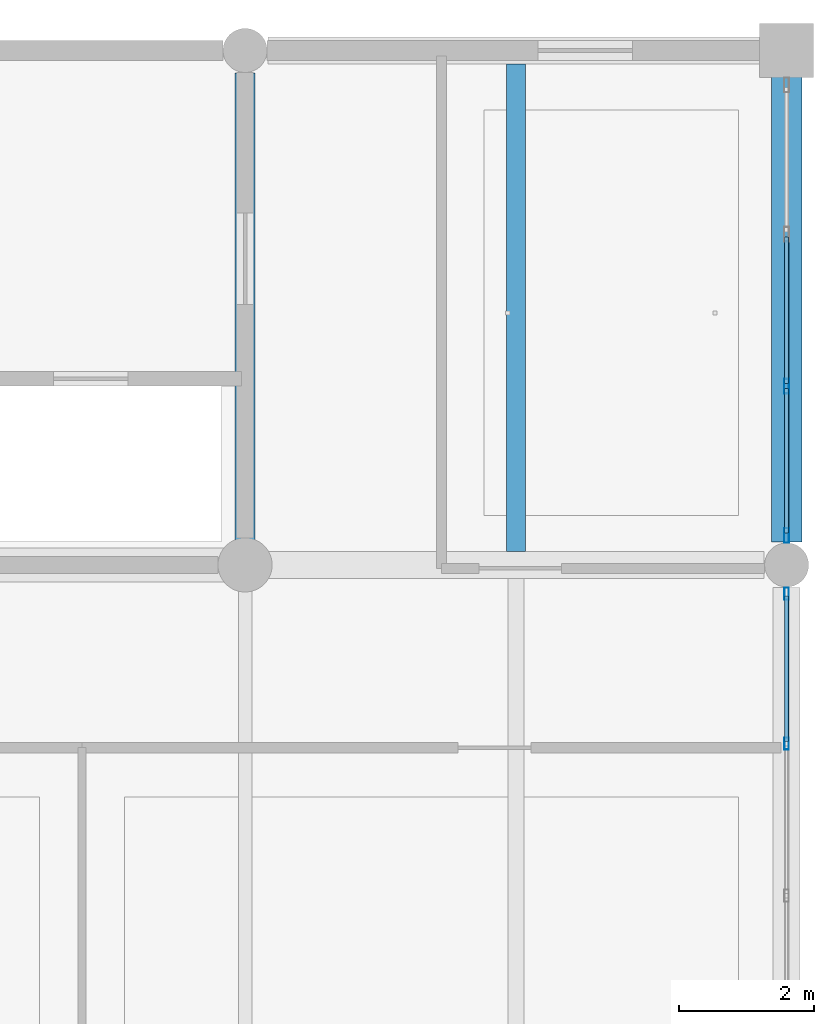
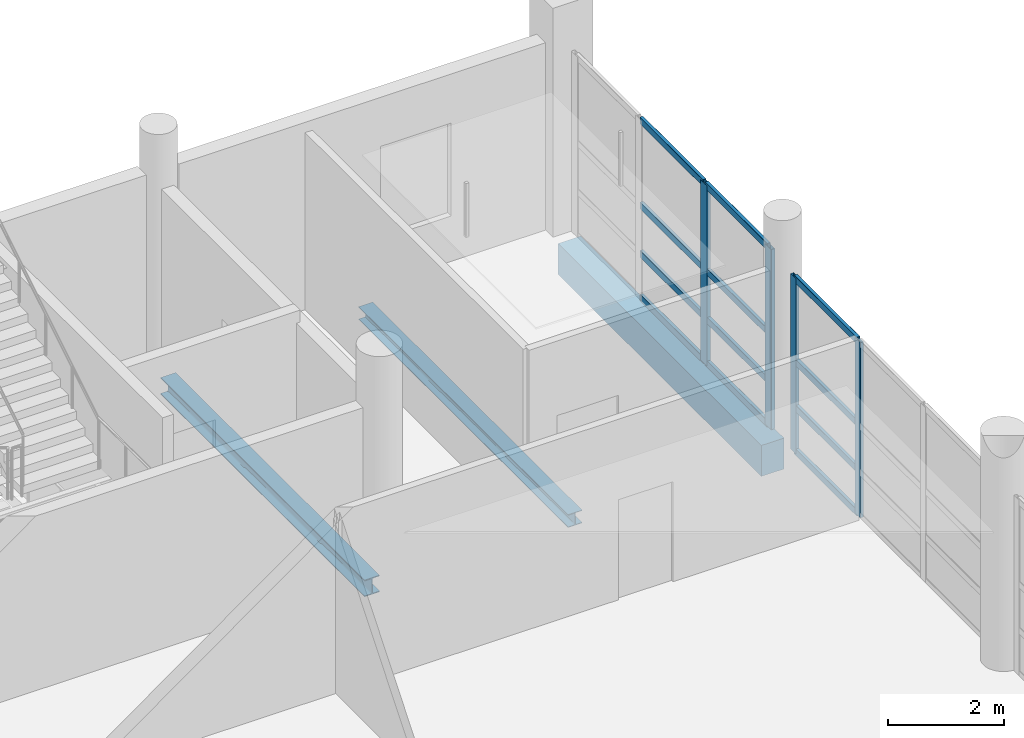
# One storey, part 21 of 46: 16 members, 3 beams, 2 elements without a shape of their own.
"""IFC4 building model written with IfcOpenShell, lengths in metres."""

from ifc_helpers import new_model, si_unit, direction, frame, origin, origin_2d, place, context, subcontext, project, spatial, rectangle, hollow_rectangle, i_section, extrude, material, material_profile, profile_set, type_object, element, aggregate, save


model = new_model("IFC4")

# Units and contexts
model_context = context("Model", 3, precision=1e-05, world=origin(), true_north=direction((0.0, 1.0)))
body_context = subcontext(model_context, "Body", "Model", "MODEL_VIEW")
ifc_project = project(units=[si_unit("LENGTHUNIT", "METRE"), si_unit("AREAUNIT", "SQUARE_METRE"), si_unit("VOLUMEUNIT", "CUBIC_METRE"), si_unit("PLANEANGLEUNIT", "RADIAN"), si_unit("MASSUNIT", "GRAM", prefix="KILO")], contexts=[model_context])

# Site, building, storey
site_placement = place(None, origin())
site = spatial("IfcSite", under=ifc_project, at=site_placement, CompositionType="ELEMENT")
building_placement = place(site_placement, origin())
building = spatial("IfcBuilding", under=site, at=building_placement, Name="Khelvaren Railside Concert Hall", CompositionType="ELEMENT")
storey_placement = place(building_placement, frame((0.0, 0.0, 19.800048828125)))
storey = spatial("IfcBuildingStorey", under=building, at=storey_placement, Name="L04", CompositionType="ELEMENT", Elevation=19.800048828125)

# Beam
ifc_material_1 = material(Name="Steel S355", Category="steel")
ifc_material_profile_1 = material_profile(ifc_material_1, i_section(OverallWidth=0.300048828125, OverallDepth=0.35009765625, WebThickness=0.010009765625, FlangeThickness=0.017578125, FilletRadius=0.027099609375, at=origin_2d()), Name="HEA 360")
ifc_profile_set_1 = profile_set([ifc_material_profile_1], Name="Steel S355")
beam_type_1 = type_object("IfcBeamType", Name="BM73", PredefinedType="BEAM", material=ifc_profile_set_1)
beam_1_placement = place(storey_placement, frame((176.0, 106.64990234375, -0.445068359375), z_axis=(0.0, 1.0, 0.0), x_axis=(-1.0, 0.0, 0.0)))
element("IfcBeam", 1, at=beam_1_placement, inside=storey, type_object=beam_type_1, Name="V5 L04 Beam Y7.4", PredefinedType="BEAM", context=body_context, shape_type="SweptSolid", body=[
    extrude(i_section(OverallWidth=0.300048828125, OverallDepth=0.35009765625, WebThickness=0.010009765625, FlangeThickness=0.017578125, FilletRadius=0.027099609375, at=origin_2d()), origin(), (0.0, 0.0, 1.0), 7.01416015625),
])

# Curtain wall, members
ifc_material_2 = material(Name="Double-glazed clear foyer glass", Category="glass")
curtain_wall_type_1 = type_object("IfcCurtainWallType", Name="CW64", PredefinedType="USERDEFINED", material=ifc_material_2)
curtain_wall_1_placement = place(storey_placement, origin())
curtain_wall_1 = element("IfcCurtainWall", 2, at=curtain_wall_1_placement, inside=storey, type_object=curtain_wall_type_1, Name="Unitised Curtain Wall CW-V5-L04-E-106", ObjectType="UNITISED CURTAIN WALL", PredefinedType="USERDEFINED")
ifc_material_3 = material(Name="Anodised architectural aluminium 6063-T6", Category="aluminium")
ifc_material_profile_2 = material_profile(ifc_material_3, hollow_rectangle(XDim=0.074951171875, YDim=0.219970703125, WallThickness=0.0048828125, InnerFilletRadius=0.0029296875, OuterFilletRadius=0.0048828125, at=origin_2d()), Name="CWM 75x220x5")
ifc_profile_set_2 = profile_set([ifc_material_profile_2], Name="Anodised architectural aluminium 6063-T6")
member_type_1 = type_object("IfcMemberType", Name="CWM13", PredefinedType="MULLION", material=ifc_profile_set_2)
member_1_placement = place(storey_placement, frame((184.0, 109.040771484375, 0.0), z_axis=(0.0, 0.0, 1.0), x_axis=(1.0, 0.0, 0.0)))
member_1 = element("IfcMember", 3, at=member_1_placement, type_object=member_type_1, Name="CW64 mullion 3", PredefinedType="MULLION", context=body_context, shape_type="SweptSolid", body=[
    extrude(hollow_rectangle(XDim=0.074951171875, YDim=0.219970703125, WallThickness=0.0048828125, InnerFilletRadius=0.0029296875, OuterFilletRadius=0.0048828125, at=origin_2d()), origin(), (0.0, 0.0, 1.0), 3.780029296875),
])
member_2_placement = place(storey_placement, frame((184.0, 106.8349609375, 0.0), z_axis=(0.0, 0.0, 1.0), x_axis=(1.0, 0.0, 0.0)))
member_2 = element("IfcMember", 4, at=member_2_placement, type_object=member_type_1, Name="CW64 mullion 4", PredefinedType="MULLION", context=body_context, shape_type="SweptSolid", body=[
    extrude(hollow_rectangle(XDim=0.074951171875, YDim=0.219970703125, WallThickness=0.0048828125, InnerFilletRadius=0.0029296875, OuterFilletRadius=0.0048828125, at=origin_2d()), origin(), (0.0, 0.0, 1.0), 3.780029296875),
])

ifc_material_4 = material(Name="Double-glazed low-E dark acoustic glass", Category="glass")
curtain_wall_type_2 = type_object("IfcCurtainWallType", Name="CW94", PredefinedType="USERDEFINED", material=ifc_material_4)
curtain_wall_2_placement = place(storey_placement, origin())
curtain_wall_2 = element("IfcCurtainWall", 5, at=curtain_wall_2_placement, inside=storey, type_object=curtain_wall_type_2, Name="Unitised Curtain Wall CW-V5-L04-E-99", ObjectType="UNITISED CURTAIN WALL", PredefinedType="USERDEFINED")
ifc_material_profile_3 = material_profile(ifc_material_3, hollow_rectangle(XDim=0.06494140625, YDim=0.179931640625, WallThickness=0.00390625, InnerFilletRadius=0.001953125, OuterFilletRadius=0.00390625, at=origin_2d()), Name="CWM 65x180x4")
ifc_profile_set_3 = profile_set([ifc_material_profile_3], Name="Anodised architectural aluminium 6063-T6")
member_type_2 = type_object("IfcMemberType", Name="CWM63", PredefinedType="MULLION", material=ifc_profile_set_3)
member_3_placement = place(storey_placement, frame((184.0, 105.97509765625, 0.0), z_axis=(0.0, 0.0, 1.0), x_axis=(1.0, 0.0, 0.0)))
member_3 = element("IfcMember", 6, at=member_3_placement, type_object=member_type_2, Name="CW94 mullion 1", PredefinedType="MULLION", context=body_context, shape_type="SweptSolid", body=[
    extrude(hollow_rectangle(XDim=0.06494140625, YDim=0.179931640625, WallThickness=0.00390625, InnerFilletRadius=0.001953125, OuterFilletRadius=0.00390625, at=origin_2d()), origin(), (0.0, 0.0, 1.0), 3.679931640625),
])
member_4_placement = place(storey_placement, frame((184.0, 103.7607421875, 0.0), z_axis=(0.0, 0.0, 1.0), x_axis=(1.0, 0.0, 0.0)))
member_4 = element("IfcMember", 7, at=member_4_placement, type_object=member_type_2, Name="CW94 mullion 2", PredefinedType="MULLION", context=body_context, shape_type="SweptSolid", body=[
    extrude(hollow_rectangle(XDim=0.06494140625, YDim=0.179931640625, WallThickness=0.00390625, InnerFilletRadius=0.001953125, OuterFilletRadius=0.00390625, at=origin_2d()), origin(), (0.0, 0.0, 1.0), 3.679931640625),
])
ifc_material_profile_4 = material_profile(ifc_material_3, hollow_rectangle(XDim=0.06494140625, YDim=0.139892578125, WallThickness=0.00390625, InnerFilletRadius=0.001953125, OuterFilletRadius=0.00390625, at=origin_2d()), Name="CWT 65x140x4")
ifc_profile_set_4 = profile_set([ifc_material_profile_4], Name="Anodised architectural aluminium 6063-T6")
member_type_3 = type_object("IfcMemberType", Name="CWT72", PredefinedType="USERDEFINED", material=ifc_profile_set_4)
member_5_placement = place(storey_placement, frame((184.0, 105.9423828125, 0.032470703125), z_axis=(0.0, -1.0, 0.0), x_axis=(1.0, 0.0, 0.0)))
member_5 = element("IfcMember", 8, at=member_5_placement, type_object=member_type_3, Name="CW94 transom 1.1", ObjectType="TRANSOM", PredefinedType="USERDEFINED", context=body_context, shape_type="SweptSolid", body=[
    extrude(hollow_rectangle(XDim=0.06494140625, YDim=0.139892578125, WallThickness=0.00390625, InnerFilletRadius=0.001953125, OuterFilletRadius=0.00390625, at=origin_2d()), origin(), (0.0, 0.0, 1.0), 2.149169921875),
])
member_6_placement = place(storey_placement, frame((184.0, 105.9423828125, 0.949951171875), z_axis=(0.0, -1.0, 0.0), x_axis=(1.0, 0.0, 0.0)))
member_6 = element("IfcMember", 9, at=member_6_placement, type_object=member_type_3, Name="CW94 transom 1.2", ObjectType="TRANSOM", PredefinedType="USERDEFINED", context=body_context, shape_type="SweptSolid", body=[
    extrude(hollow_rectangle(XDim=0.06494140625, YDim=0.139892578125, WallThickness=0.00390625, InnerFilletRadius=0.001953125, OuterFilletRadius=0.00390625, at=origin_2d()), origin(), (0.0, 0.0, 1.0), 2.149169921875),
])
member_7_placement = place(storey_placement, frame((184.0, 105.9423828125, 1.91357421875), z_axis=(0.0, -1.0, 0.0), x_axis=(1.0, 0.0, 0.0)))
member_7 = element("IfcMember", 10, at=member_7_placement, type_object=member_type_3, Name="CW94 transom 1.3", ObjectType="TRANSOM", PredefinedType="USERDEFINED", context=body_context, shape_type="SweptSolid", body=[
    extrude(hollow_rectangle(XDim=0.06494140625, YDim=0.139892578125, WallThickness=0.00390625, InnerFilletRadius=0.001953125, OuterFilletRadius=0.00390625, at=origin_2d()), origin(), (0.0, 0.0, 1.0), 2.149169921875),
])
member_8_placement = place(storey_placement, frame((184.0, 105.9423828125, 3.6474609375), z_axis=(0.0, -1.0, 0.0), x_axis=(1.0, 0.0, 0.0)))
member_8 = element("IfcMember", 11, at=member_8_placement, type_object=member_type_3, Name="CW94 transom 1.4", ObjectType="TRANSOM", PredefinedType="USERDEFINED", context=body_context, shape_type="SweptSolid", body=[
    extrude(hollow_rectangle(XDim=0.06494140625, YDim=0.139892578125, WallThickness=0.00390625, InnerFilletRadius=0.001953125, OuterFilletRadius=0.00390625, at=origin_2d()), origin(), (0.0, 0.0, 1.0), 2.149169921875),
])
aggregate(curtain_wall_2, [member_3, member_4, member_5, member_6, member_7, member_8])

# Member
member_9_placement = place(storey_placement, frame((184.0, 111.24658203125, 0.032470703125), z_axis=(0.0, -1.0, 0.0), x_axis=(1.0, 0.0, 0.0)))
member_9 = element("IfcMember", 12, at=member_9_placement, type_object=member_type_3, Name="CW64 transom 2.1", ObjectType="TRANSOM", PredefinedType="USERDEFINED", context=body_context, shape_type="SweptSolid", body=[
    extrude(hollow_rectangle(XDim=0.06494140625, YDim=0.139892578125, WallThickness=0.00390625, InnerFilletRadius=0.001953125, OuterFilletRadius=0.00390625, at=origin_2d()), origin(), (0.0, 0.0, 1.0), 2.168212890625),
])

member_10_placement = place(storey_placement, frame((184.0, 111.24658203125, 0.949951171875), z_axis=(0.0, -1.0, 0.0), x_axis=(1.0, 0.0, 0.0)))
member_10 = element("IfcMember", 13, at=member_10_placement, type_object=member_type_3, Name="CW64 transom 2.2", ObjectType="TRANSOM", PredefinedType="USERDEFINED", context=body_context, shape_type="SweptSolid", body=[
    extrude(hollow_rectangle(XDim=0.06494140625, YDim=0.139892578125, WallThickness=0.00390625, InnerFilletRadius=0.001953125, OuterFilletRadius=0.00390625, at=origin_2d()), origin(), (0.0, 0.0, 1.0), 2.168212890625),
])

member_11_placement = place(storey_placement, frame((184.0, 111.24658203125, 1.965576171875), z_axis=(0.0, -1.0, 0.0), x_axis=(1.0, 0.0, 0.0)))
member_11 = element("IfcMember", 14, at=member_11_placement, type_object=member_type_3, Name="CW64 transom 2.3", ObjectType="TRANSOM", PredefinedType="USERDEFINED", context=body_context, shape_type="SweptSolid", body=[
    extrude(hollow_rectangle(XDim=0.06494140625, YDim=0.139892578125, WallThickness=0.00390625, InnerFilletRadius=0.001953125, OuterFilletRadius=0.00390625, at=origin_2d()), origin(), (0.0, 0.0, 1.0), 2.168212890625),
])

member_12_placement = place(storey_placement, frame((184.0, 111.24658203125, 3.74755859375), z_axis=(0.0, -1.0, 0.0), x_axis=(1.0, 0.0, 0.0)))
member_12 = element("IfcMember", 15, at=member_12_placement, type_object=member_type_3, Name="CW64 transom 2.4", ObjectType="TRANSOM", PredefinedType="USERDEFINED", context=body_context, shape_type="SweptSolid", body=[
    extrude(hollow_rectangle(XDim=0.06494140625, YDim=0.139892578125, WallThickness=0.00390625, InnerFilletRadius=0.001953125, OuterFilletRadius=0.00390625, at=origin_2d()), origin(), (0.0, 0.0, 1.0), 2.168212890625),
])

member_13_placement = place(storey_placement, frame((184.0, 109.00341796875, 0.032470703125), z_axis=(0.0, -1.0, 0.0), x_axis=(1.0, 0.0, 0.0)))
member_13 = element("IfcMember", 16, at=member_13_placement, type_object=member_type_3, Name="CW64 transom 3.1", ObjectType="TRANSOM", PredefinedType="USERDEFINED", context=body_context, shape_type="SweptSolid", body=[
    extrude(hollow_rectangle(XDim=0.06494140625, YDim=0.139892578125, WallThickness=0.00390625, InnerFilletRadius=0.001953125, OuterFilletRadius=0.00390625, at=origin_2d()), origin(), (0.0, 0.0, 1.0), 2.130859375),
])

member_14_placement = place(storey_placement, frame((184.0, 109.00341796875, 0.949951171875), z_axis=(0.0, -1.0, 0.0), x_axis=(1.0, 0.0, 0.0)))
member_14 = element("IfcMember", 17, at=member_14_placement, type_object=member_type_3, Name="CW64 transom 3.2", ObjectType="TRANSOM", PredefinedType="USERDEFINED", context=body_context, shape_type="SweptSolid", body=[
    extrude(hollow_rectangle(XDim=0.06494140625, YDim=0.139892578125, WallThickness=0.00390625, InnerFilletRadius=0.001953125, OuterFilletRadius=0.00390625, at=origin_2d()), origin(), (0.0, 0.0, 1.0), 2.130859375),
])

member_15_placement = place(storey_placement, frame((184.0, 109.00341796875, 1.965576171875), z_axis=(0.0, -1.0, 0.0), x_axis=(1.0, 0.0, 0.0)))
member_15 = element("IfcMember", 18, at=member_15_placement, type_object=member_type_3, Name="CW64 transom 3.3", ObjectType="TRANSOM", PredefinedType="USERDEFINED", context=body_context, shape_type="SweptSolid", body=[
    extrude(hollow_rectangle(XDim=0.06494140625, YDim=0.139892578125, WallThickness=0.00390625, InnerFilletRadius=0.001953125, OuterFilletRadius=0.00390625, at=origin_2d()), origin(), (0.0, 0.0, 1.0), 2.130859375),
])

member_16_placement = place(storey_placement, frame((184.0, 109.00341796875, 3.74755859375), z_axis=(0.0, -1.0, 0.0), x_axis=(1.0, 0.0, 0.0)))
member_16 = element("IfcMember", 19, at=member_16_placement, type_object=member_type_3, Name="CW64 transom 3.4", ObjectType="TRANSOM", PredefinedType="USERDEFINED", context=body_context, shape_type="SweptSolid", body=[
    extrude(hollow_rectangle(XDim=0.06494140625, YDim=0.139892578125, WallThickness=0.00390625, InnerFilletRadius=0.001953125, OuterFilletRadius=0.00390625, at=origin_2d()), origin(), (0.0, 0.0, 1.0), 2.130859375),
])

aggregate(curtain_wall_1, [member_1, member_2, member_9, member_10, member_11, member_12, member_13, member_14, member_15, member_16])

# Beams
ifc_material_profile_5 = material_profile(ifc_material_1, i_section(OverallWidth=0.280029296875, OverallDepth=0.27001953125, WebThickness=0.008056640625, FlangeThickness=0.012939453125, FilletRadius=0.02392578125, at=origin_2d()), Name="HEA 280")
ifc_profile_set_5 = profile_set([ifc_material_profile_5], Name="Steel S355")
beam_type_2 = type_object("IfcBeamType", Name="JS46", PredefinedType="JOIST", material=ifc_profile_set_5)
beam_2_placement = place(storey_placement, frame((180.0, 106.60009765625, -0.405029296875), z_axis=(0.0, 1.0, 0.0), x_axis=(-1.0, 0.0, 0.0)))
element("IfcBeam", 20, at=beam_2_placement, inside=storey, type_object=beam_type_2, Name="V5 L04 Secondary Joist 7.4", PredefinedType="JOIST", context=body_context, shape_type="SweptSolid", body=[
    extrude(i_section(OverallWidth=0.280029296875, OverallDepth=0.27001953125, WebThickness=0.008056640625, FlangeThickness=0.012939453125, FilletRadius=0.02392578125, at=origin_2d()), origin(), (0.0, 0.0, 1.0), 7.199951171875),
])
ifc_material_5 = material(Name="Concrete C40/50", Category="concrete")
ifc_material_profile_6 = material_profile(ifc_material_5, rectangle(XDim=0.449951171875, YDim=0.64990234375, at=origin_2d()), Name="RCB 450x650")
ifc_profile_set_6 = profile_set([ifc_material_profile_6], Name="Concrete C40/50")
beam_type_3 = type_object("IfcBeamType", Name="SP34", PredefinedType="SPANDREL", material=ifc_profile_set_6)
beam_3_placement = place(storey_placement, frame((184.0, 106.736083984375, -0.594970703125), z_axis=(0.0, 1.0, 0.0), x_axis=(-1.0, 0.0, 0.0)))
element("IfcBeam", 21, at=beam_3_placement, inside=storey, type_object=beam_type_3, Name="V5 L04 Spandrel Y8.4", PredefinedType="SPANDREL", context=body_context, shape_type="SweptSolid", body=[
    extrude(rectangle(XDim=0.449951171875, YDim=0.64990234375, at=origin_2d()), origin(), (0.0, 0.0, 1.0), 6.990966796875),
])

save(model, "model.ifc")
